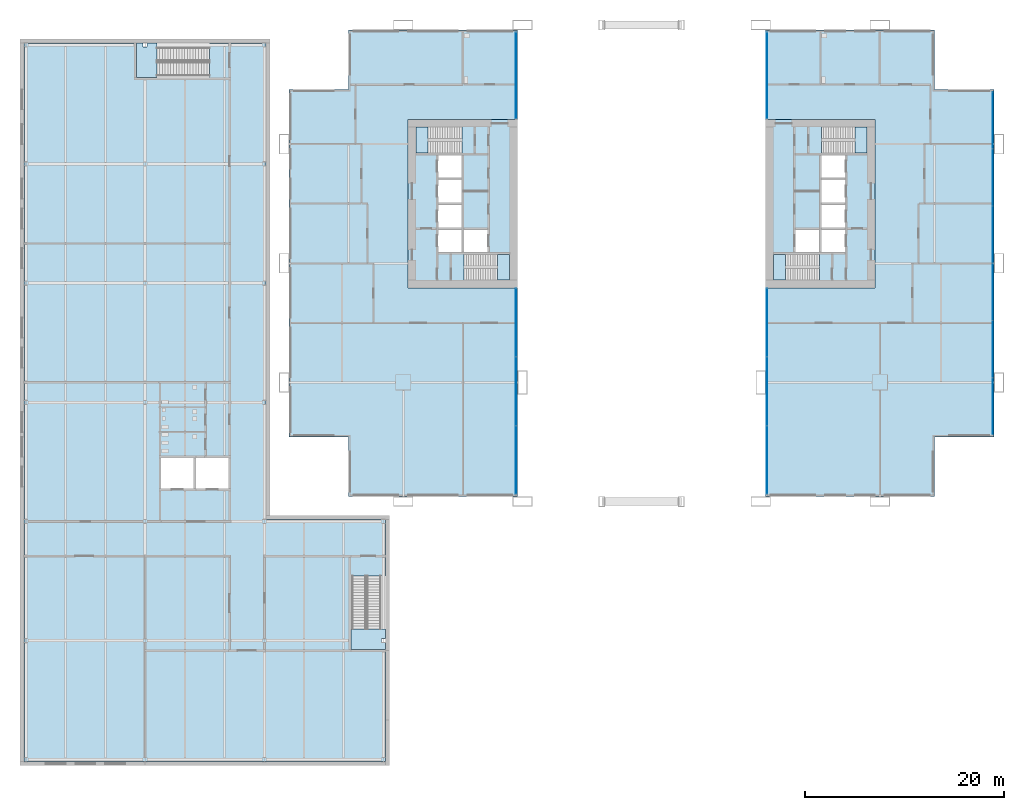
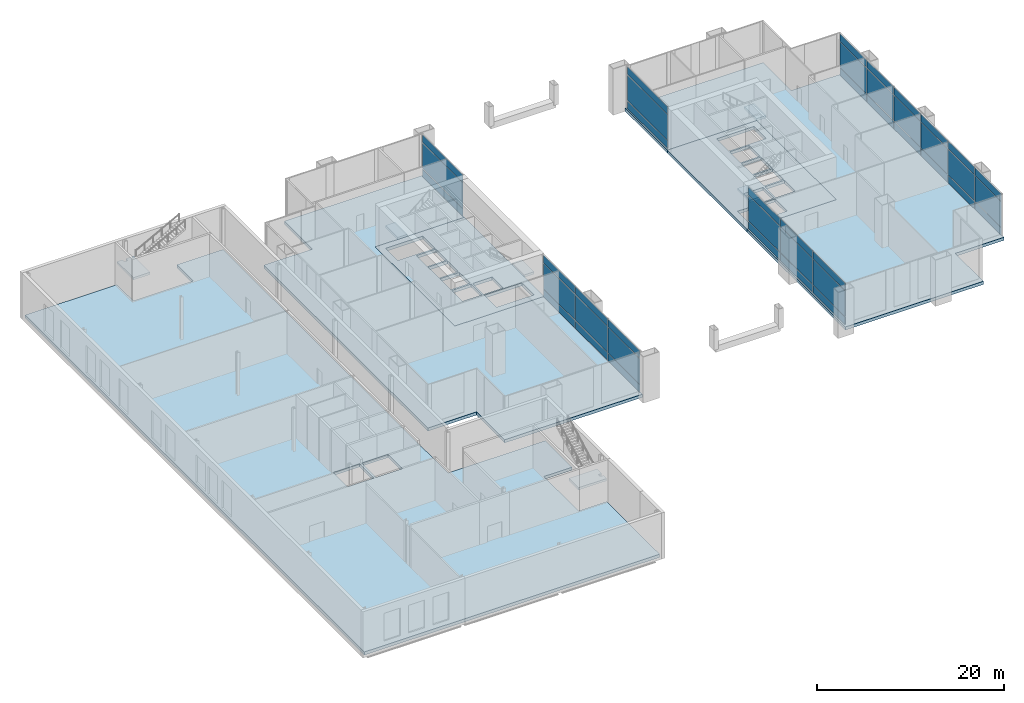
# One storey, part 15 of 25: 42 plates, 11 slabs, 11 elements without a shape of their own.
"""IFC4 building model written with IfcOpenShell, lengths in metres."""

from ifc_helpers import new_model, si_unit, direction, frame, origin, origin_2d, place, context, subcontext, project, spatial, polyline, rectangle, outline, extrude, material, layer, layer_set, type_object, element, aggregate, save


model = new_model("IFC4")

# Units and contexts
model_context = context("Model", 3, precision=1e-05, world=origin(), true_north=direction((0.0, 1.0)))
body_context = subcontext(model_context, "Body", "Model", "MODEL_VIEW")
ifc_project = project(units=[si_unit("LENGTHUNIT", "METRE"), si_unit("AREAUNIT", "SQUARE_METRE"), si_unit("VOLUMEUNIT", "CUBIC_METRE"), si_unit("PLANEANGLEUNIT", "RADIAN"), si_unit("MASSUNIT", "GRAM", prefix="KILO")], contexts=[model_context])

# Site, building, storey
site_placement = place(None, origin())
site = spatial("IfcSite", under=ifc_project, at=site_placement, CompositionType="ELEMENT")
building_placement = place(site_placement, origin())
building = spatial("IfcBuilding", under=site, at=building_placement, Name="Kitamizu Gate Tower and Museum", CompositionType="ELEMENT")
storey_placement = place(building_placement, frame((0.0, 0.0, 18.0)))
storey = spatial("IfcBuildingStorey", under=building, at=storey_placement, Name="L03", CompositionType="ELEMENT", Elevation=18.0)

# Slabs
ifc_material_1 = material(Name="Concrete Fc36", Category="concrete")
ifc_layer_1 = layer(ifc_material_1, 0.39990234375)
ifc_layer_set_1 = layer_set([ifc_layer_1], Name="Concrete Fc36")
slab_type_1 = type_object("IfcSlabType", Name="Core floor slab 400", PredefinedType="FLOOR", material=ifc_layer_set_1)
slab_1_placement = place(storey_placement, frame((0.0, 0.0, -0.39990234375)))
element("IfcSlab", 1, at=slab_1_placement, inside=storey, type_object=slab_type_1, Name="Core floor slab W", PredefinedType="FLOOR", context=body_context, shape_type="SweptSolid", body=[
    extrude(outline(polyline([(12.5, 21.5), (23.5, 21.5), (23.5, 38.5), (12.5, 38.5), (12.5, 21.5)]), holes=[polyline([(15.5, 25.10009765625), (17.89990234375, 25.10009765625), (17.89990234375, 27.39990234375), (15.5, 27.39990234375), (15.5, 25.10009765625)]), polyline([(15.5, 27.60009765625), (17.89990234375, 27.60009765625), (17.89990234375, 29.89990234375), (15.5, 29.89990234375), (15.5, 27.60009765625)]), polyline([(15.5, 30.10009765625), (17.89990234375, 30.10009765625), (17.89990234375, 32.39990234375), (15.5, 32.39990234375), (15.5, 30.10009765625)]), polyline([(15.5, 32.60009765625), (17.89990234375, 32.60009765625), (17.89990234375, 34.89990234375), (15.5, 34.89990234375), (15.5, 32.60009765625)]), polyline([(18.10009765625, 25.10009765625), (20.5, 25.10009765625), (20.5, 27.39990234375), (18.10009765625, 27.39990234375), (18.10009765625, 25.10009765625)]), polyline([(18.1005859375, 22.300048828125), (22.699951171875, 22.300048828125), (22.699951171875, 24.89990234375), (18.1005859375, 24.89990234375), (18.1005859375, 22.300048828125)]), polyline([(13.300048828125, 35.10009765625), (17.8994140625, 35.10009765625), (17.8994140625, 37.699951171875), (13.300048828125, 37.699951171875), (13.300048828125, 35.10009765625)])]), origin(), (0.0, 0.0, 1.0), 0.39990234375),
])
slab_2_placement = place(storey_placement, frame((0.0, 0.0, -0.39990234375)))
element("IfcSlab", 2, at=slab_2_placement, inside=storey, type_object=slab_type_1, Name="Core floor slab E", PredefinedType="FLOOR", context=body_context, shape_type="SweptSolid", body=[
    extrude(outline(polyline([(48.5, 21.5), (59.5, 21.5), (59.5, 38.5), (48.5, 38.5), (48.5, 21.5)]), holes=[polyline([(54.10009765625, 25.10009765625), (56.5, 25.10009765625), (56.5, 27.39990234375), (54.10009765625, 27.39990234375), (54.10009765625, 25.10009765625)]), polyline([(54.10009765625, 27.60009765625), (56.5, 27.60009765625), (56.5, 29.89990234375), (54.10009765625, 29.89990234375), (54.10009765625, 27.60009765625)]), polyline([(54.10009765625, 30.10009765625), (56.5, 30.10009765625), (56.5, 32.39990234375), (54.10009765625, 32.39990234375), (54.10009765625, 30.10009765625)]), polyline([(54.10009765625, 32.60009765625), (56.5, 32.60009765625), (56.5, 34.89990234375), (54.10009765625, 34.89990234375), (54.10009765625, 32.60009765625)]), polyline([(51.5, 25.10009765625), (53.89990234375, 25.10009765625), (53.89990234375, 27.39990234375), (51.5, 27.39990234375), (51.5, 25.10009765625)]), polyline([(49.300048828125, 22.300048828125), (53.8994140625, 22.300048828125), (53.8994140625, 24.89990234375), (49.300048828125, 24.89990234375), (49.300048828125, 22.300048828125)]), polyline([(54.1005859375, 35.10009765625), (58.699951171875, 35.10009765625), (58.699951171875, 37.699951171875), (54.1005859375, 37.699951171875), (54.1005859375, 35.10009765625)])]), origin(), (0.0, 0.0, 1.0), 0.39990234375),
])

# Curtain wall, plates
ifc_material_2 = material(Name="Bronze anodised aluminium frame, tinted triple glazing", Category="aluminium")
curtain_wall_type = type_object("IfcCurtainWallType", Name="CURTAIN WALL TYPE A PODIUM", PredefinedType="NOTDEFINED", material=ifc_material_2)
curtain_wall_1_placement = place(storey_placement, origin())
curtain_wall_1 = element("IfcCurtainWall", 3, at=curtain_wall_1_placement, inside=storey, type_object=curtain_wall_type, Name="Curtain wall CW-A east L03", PredefinedType="NOTDEFINED")
ifc_material_3 = material(Name="Tinted insulating glass", Category="glass")
ifc_layer_2 = layer(ifc_material_3, 0.035888671875)
ifc_layer_set_2 = layer_set([ifc_layer_2], Name="Tinted insulating glass")
plate_type = type_object("IfcPlateType", Name="GLASS PANEL 36 TYPE A", PredefinedType="CURTAIN_PANEL", material=ifc_layer_set_2)
plate_1_placement = place(storey_placement, frame((23.364990234375, 4.197509765625, 0.080078125), z_axis=(0.0, 0.0, 1.0), x_axis=(0.0, 1.0, 0.0)))
plate_1 = element("IfcPlate", 4, at=plate_1_placement, type_object=plate_type, Name="CW-A panel 1.1", PredefinedType="CURTAIN_PANEL", context=body_context, shape_type="SweptSolid", body=[
    extrude(rectangle(XDim=6.794921875, YDim=0.035888671875, at=origin_2d()), origin(), (0.0, 0.0, 1.0), 0.97998046875),
])
plate_2_placement = place(storey_placement, frame((23.364990234375, 4.197509765625, 1.14013671875), z_axis=(0.0, 0.0, 1.0), x_axis=(0.0, 1.0, 0.0)))
plate_2 = element("IfcPlate", 5, at=plate_2_placement, type_object=plate_type, Name="CW-A panel 1.2", PredefinedType="CURTAIN_PANEL", context=body_context, shape_type="SweptSolid", body=[
    extrude(rectangle(XDim=6.794921875, YDim=0.035888671875, at=origin_2d()), origin(), (0.0, 0.0, 1.0), 3.320068359375),
])
plate_3_placement = place(storey_placement, frame((23.364990234375, 4.197509765625, 4.5400390625), z_axis=(0.0, 0.0, 1.0), x_axis=(0.0, 1.0, 0.0)))
plate_3 = element("IfcPlate", 6, at=plate_3_placement, type_object=plate_type, Name="CW-A panel 1.3", PredefinedType="CURTAIN_PANEL", context=body_context, shape_type="SweptSolid", body=[
    extrude(rectangle(XDim=6.794921875, YDim=0.035888671875, at=origin_2d()), origin(), (0.0, 0.0, 1.0), 0.97998046875),
])
plate_4_placement = place(storey_placement, frame((23.364990234375, 11.10498046875, 0.080078125), z_axis=(0.0, 0.0, 1.0), x_axis=(0.0, 1.0, 0.0)))
plate_4 = element("IfcPlate", 7, at=plate_4_placement, type_object=plate_type, Name="CW-A panel 2.1", PredefinedType="CURTAIN_PANEL", context=body_context, shape_type="SweptSolid", body=[
    extrude(rectangle(XDim=6.840087890625, YDim=0.035888671875, at=origin_2d()), origin(), (0.0, 0.0, 1.0), 0.97998046875),
])
plate_5_placement = place(storey_placement, frame((23.364990234375, 11.10498046875, 1.14013671875), z_axis=(0.0, 0.0, 1.0), x_axis=(0.0, 1.0, 0.0)))
plate_5 = element("IfcPlate", 8, at=plate_5_placement, type_object=plate_type, Name="CW-A panel 2.2", PredefinedType="CURTAIN_PANEL", context=body_context, shape_type="SweptSolid", body=[
    extrude(rectangle(XDim=6.840087890625, YDim=0.035888671875, at=origin_2d()), origin(), (0.0, 0.0, 1.0), 3.320068359375),
])
plate_6_placement = place(storey_placement, frame((23.364990234375, 11.10498046875, 4.5400390625), z_axis=(0.0, 0.0, 1.0), x_axis=(0.0, 1.0, 0.0)))
plate_6 = element("IfcPlate", 9, at=plate_6_placement, type_object=plate_type, Name="CW-A panel 2.3", PredefinedType="CURTAIN_PANEL", context=body_context, shape_type="SweptSolid", body=[
    extrude(rectangle(XDim=6.840087890625, YDim=0.035888671875, at=origin_2d()), origin(), (0.0, 0.0, 1.0), 0.97998046875),
])
plate_7_placement = place(storey_placement, frame((23.364990234375, 18.012451171875, 0.080078125), z_axis=(0.0, 0.0, 1.0), x_axis=(0.0, 1.0, 0.0)))
plate_7 = element("IfcPlate", 10, at=plate_7_placement, type_object=plate_type, Name="CW-A panel 3.1", PredefinedType="CURTAIN_PANEL", context=body_context, shape_type="SweptSolid", body=[
    extrude(rectangle(XDim=6.794921875, YDim=0.035888671875, at=origin_2d()), origin(), (0.0, 0.0, 1.0), 0.97998046875),
])
plate_8_placement = place(storey_placement, frame((23.364990234375, 18.012451171875, 1.14013671875), z_axis=(0.0, 0.0, 1.0), x_axis=(0.0, 1.0, 0.0)))
plate_8 = element("IfcPlate", 11, at=plate_8_placement, type_object=plate_type, Name="CW-A panel 3.2", PredefinedType="CURTAIN_PANEL", context=body_context, shape_type="SweptSolid", body=[
    extrude(rectangle(XDim=6.794921875, YDim=0.035888671875, at=origin_2d()), origin(), (0.0, 0.0, 1.0), 3.320068359375),
])
plate_9_placement = place(storey_placement, frame((23.364990234375, 18.012451171875, 4.5400390625), z_axis=(0.0, 0.0, 1.0), x_axis=(0.0, 1.0, 0.0)))
plate_9 = element("IfcPlate", 12, at=plate_9_placement, type_object=plate_type, Name="CW-A panel 3.3", PredefinedType="CURTAIN_PANEL", context=body_context, shape_type="SweptSolid", body=[
    extrude(rectangle(XDim=6.794921875, YDim=0.035888671875, at=origin_2d()), origin(), (0.0, 0.0, 1.0), 0.97998046875),
])
aggregate(curtain_wall_1, [plate_1, plate_2, plate_3, plate_4, plate_5, plate_6, plate_7, plate_8, plate_9])

curtain_wall_2_placement = place(storey_placement, origin())
curtain_wall_2 = element("IfcCurtainWall", 13, at=curtain_wall_2_placement, inside=storey, type_object=curtain_wall_type, Name="Curtain wall CW-A east L03", PredefinedType="NOTDEFINED")
plate_10_placement = place(storey_placement, frame((23.364990234375, 42.89501953125, 0.080078125), z_axis=(0.0, 0.0, 1.0), x_axis=(0.0, 1.0, 0.0)))
plate_10 = element("IfcPlate", 14, at=plate_10_placement, type_object=plate_type, Name="CW-A panel 1.1", PredefinedType="CURTAIN_PANEL", context=body_context, shape_type="SweptSolid", body=[
    extrude(rectangle(XDim=8.610107421875, YDim=0.035888671875, at=origin_2d()), origin(), (0.0, 0.0, 1.0), 0.97998046875),
])
plate_11_placement = place(storey_placement, frame((23.364990234375, 42.89501953125, 1.14013671875), z_axis=(0.0, 0.0, 1.0), x_axis=(0.0, 1.0, 0.0)))
plate_11 = element("IfcPlate", 15, at=plate_11_placement, type_object=plate_type, Name="CW-A panel 1.2", PredefinedType="CURTAIN_PANEL", context=body_context, shape_type="SweptSolid", body=[
    extrude(rectangle(XDim=8.610107421875, YDim=0.035888671875, at=origin_2d()), origin(), (0.0, 0.0, 1.0), 3.320068359375),
])
plate_12_placement = place(storey_placement, frame((23.364990234375, 42.89501953125, 4.5400390625), z_axis=(0.0, 0.0, 1.0), x_axis=(0.0, 1.0, 0.0)))
plate_12 = element("IfcPlate", 16, at=plate_12_placement, type_object=plate_type, Name="CW-A panel 1.3", PredefinedType="CURTAIN_PANEL", context=body_context, shape_type="SweptSolid", body=[
    extrude(rectangle(XDim=8.610107421875, YDim=0.035888671875, at=origin_2d()), origin(), (0.0, 0.0, 1.0), 0.97998046875),
])
aggregate(curtain_wall_2, [plate_10, plate_11, plate_12])

curtain_wall_3_placement = place(storey_placement, origin())
curtain_wall_3 = element("IfcCurtainWall", 17, at=curtain_wall_3_placement, inside=storey, type_object=curtain_wall_type, Name="Curtain wall CW-A west L03", PredefinedType="NOTDEFINED")
plate_13_placement = place(storey_placement, frame((48.635009765625, 4.197509765625, 0.080078125), z_axis=(0.0, 0.0, 1.0), x_axis=(0.0, 1.0, 0.0)))
plate_13 = element("IfcPlate", 18, at=plate_13_placement, type_object=plate_type, Name="CW-A panel 1.1", PredefinedType="CURTAIN_PANEL", context=body_context, shape_type="SweptSolid", body=[
    extrude(rectangle(XDim=6.794921875, YDim=0.035888671875, at=origin_2d()), origin(), (0.0, 0.0, 1.0), 0.97998046875),
])
plate_14_placement = place(storey_placement, frame((48.635009765625, 4.197509765625, 1.14013671875), z_axis=(0.0, 0.0, 1.0), x_axis=(0.0, 1.0, 0.0)))
plate_14 = element("IfcPlate", 19, at=plate_14_placement, type_object=plate_type, Name="CW-A panel 1.2", PredefinedType="CURTAIN_PANEL", context=body_context, shape_type="SweptSolid", body=[
    extrude(rectangle(XDim=6.794921875, YDim=0.035888671875, at=origin_2d()), origin(), (0.0, 0.0, 1.0), 3.320068359375),
])
plate_15_placement = place(storey_placement, frame((48.635009765625, 4.197509765625, 4.5400390625), z_axis=(0.0, 0.0, 1.0), x_axis=(0.0, 1.0, 0.0)))
plate_15 = element("IfcPlate", 20, at=plate_15_placement, type_object=plate_type, Name="CW-A panel 1.3", PredefinedType="CURTAIN_PANEL", context=body_context, shape_type="SweptSolid", body=[
    extrude(rectangle(XDim=6.794921875, YDim=0.035888671875, at=origin_2d()), origin(), (0.0, 0.0, 1.0), 0.97998046875),
])
plate_16_placement = place(storey_placement, frame((48.635009765625, 11.10498046875, 0.080078125), z_axis=(0.0, 0.0, 1.0), x_axis=(0.0, 1.0, 0.0)))
plate_16 = element("IfcPlate", 21, at=plate_16_placement, type_object=plate_type, Name="CW-A panel 2.1", PredefinedType="CURTAIN_PANEL", context=body_context, shape_type="SweptSolid", body=[
    extrude(rectangle(XDim=6.840087890625, YDim=0.035888671875, at=origin_2d()), origin(), (0.0, 0.0, 1.0), 0.97998046875),
])
plate_17_placement = place(storey_placement, frame((48.635009765625, 11.10498046875, 1.14013671875), z_axis=(0.0, 0.0, 1.0), x_axis=(0.0, 1.0, 0.0)))
plate_17 = element("IfcPlate", 22, at=plate_17_placement, type_object=plate_type, Name="CW-A panel 2.2", PredefinedType="CURTAIN_PANEL", context=body_context, shape_type="SweptSolid", body=[
    extrude(rectangle(XDim=6.840087890625, YDim=0.035888671875, at=origin_2d()), origin(), (0.0, 0.0, 1.0), 3.320068359375),
])
plate_18_placement = place(storey_placement, frame((48.635009765625, 11.10498046875, 4.5400390625), z_axis=(0.0, 0.0, 1.0), x_axis=(0.0, 1.0, 0.0)))
plate_18 = element("IfcPlate", 23, at=plate_18_placement, type_object=plate_type, Name="CW-A panel 2.3", PredefinedType="CURTAIN_PANEL", context=body_context, shape_type="SweptSolid", body=[
    extrude(rectangle(XDim=6.840087890625, YDim=0.035888671875, at=origin_2d()), origin(), (0.0, 0.0, 1.0), 0.97998046875),
])
plate_19_placement = place(storey_placement, frame((48.635009765625, 18.012451171875, 0.080078125), z_axis=(0.0, 0.0, 1.0), x_axis=(0.0, 1.0, 0.0)))
plate_19 = element("IfcPlate", 24, at=plate_19_placement, type_object=plate_type, Name="CW-A panel 3.1", PredefinedType="CURTAIN_PANEL", context=body_context, shape_type="SweptSolid", body=[
    extrude(rectangle(XDim=6.794921875, YDim=0.035888671875, at=origin_2d()), origin(), (0.0, 0.0, 1.0), 0.97998046875),
])
plate_20_placement = place(storey_placement, frame((48.635009765625, 18.012451171875, 1.14013671875), z_axis=(0.0, 0.0, 1.0), x_axis=(0.0, 1.0, 0.0)))
plate_20 = element("IfcPlate", 25, at=plate_20_placement, type_object=plate_type, Name="CW-A panel 3.2", PredefinedType="CURTAIN_PANEL", context=body_context, shape_type="SweptSolid", body=[
    extrude(rectangle(XDim=6.794921875, YDim=0.035888671875, at=origin_2d()), origin(), (0.0, 0.0, 1.0), 3.320068359375),
])
plate_21_placement = place(storey_placement, frame((48.635009765625, 18.012451171875, 4.5400390625), z_axis=(0.0, 0.0, 1.0), x_axis=(0.0, 1.0, 0.0)))
plate_21 = element("IfcPlate", 26, at=plate_21_placement, type_object=plate_type, Name="CW-A panel 3.3", PredefinedType="CURTAIN_PANEL", context=body_context, shape_type="SweptSolid", body=[
    extrude(rectangle(XDim=6.794921875, YDim=0.035888671875, at=origin_2d()), origin(), (0.0, 0.0, 1.0), 0.97998046875),
])
aggregate(curtain_wall_3, [plate_13, plate_14, plate_15, plate_16, plate_17, plate_18, plate_19, plate_20, plate_21])

curtain_wall_4_placement = place(storey_placement, origin())
curtain_wall_4 = element("IfcCurtainWall", 27, at=curtain_wall_4_placement, inside=storey, type_object=curtain_wall_type, Name="Curtain wall CW-A west L03", PredefinedType="NOTDEFINED")
plate_22_placement = place(storey_placement, frame((48.635009765625, 42.89501953125, 0.080078125), z_axis=(0.0, 0.0, 1.0), x_axis=(0.0, 1.0, 0.0)))
plate_22 = element("IfcPlate", 28, at=plate_22_placement, type_object=plate_type, Name="CW-A panel 1.1", PredefinedType="CURTAIN_PANEL", context=body_context, shape_type="SweptSolid", body=[
    extrude(rectangle(XDim=8.610107421875, YDim=0.035888671875, at=origin_2d()), origin(), (0.0, 0.0, 1.0), 0.97998046875),
])
plate_23_placement = place(storey_placement, frame((48.635009765625, 42.89501953125, 1.14013671875), z_axis=(0.0, 0.0, 1.0), x_axis=(0.0, 1.0, 0.0)))
plate_23 = element("IfcPlate", 29, at=plate_23_placement, type_object=plate_type, Name="CW-A panel 1.2", PredefinedType="CURTAIN_PANEL", context=body_context, shape_type="SweptSolid", body=[
    extrude(rectangle(XDim=8.610107421875, YDim=0.035888671875, at=origin_2d()), origin(), (0.0, 0.0, 1.0), 3.320068359375),
])
plate_24_placement = place(storey_placement, frame((48.635009765625, 42.89501953125, 4.5400390625), z_axis=(0.0, 0.0, 1.0), x_axis=(0.0, 1.0, 0.0)))
plate_24 = element("IfcPlate", 30, at=plate_24_placement, type_object=plate_type, Name="CW-A panel 1.3", PredefinedType="CURTAIN_PANEL", context=body_context, shape_type="SweptSolid", body=[
    extrude(rectangle(XDim=8.610107421875, YDim=0.035888671875, at=origin_2d()), origin(), (0.0, 0.0, 1.0), 0.97998046875),
])
aggregate(curtain_wall_4, [plate_22, plate_23, plate_24])

curtain_wall_5_placement = place(storey_placement, origin())
curtain_wall_5 = element("IfcCurtainWall", 31, at=curtain_wall_5_placement, inside=storey, type_object=curtain_wall_type, Name="Curtain wall CW-A east L03", PredefinedType="NOTDEFINED")
plate_25_placement = place(storey_placement, frame((71.364990234375, 9.6142578125, 0.080078125), z_axis=(0.0, 0.0, 1.0), x_axis=(0.0, 1.0, 0.0)))
plate_25 = element("IfcPlate", 32, at=plate_25_placement, type_object=plate_type, Name="CW-A panel 1.1", PredefinedType="CURTAIN_PANEL", context=body_context, shape_type="SweptSolid", body=[
    extrude(rectangle(XDim=5.62841796875, YDim=0.035888671875, at=origin_2d()), origin(), (0.0, 0.0, 1.0), 0.97998046875),
])
plate_26_placement = place(storey_placement, frame((71.364990234375, 9.6142578125, 1.14013671875), z_axis=(0.0, 0.0, 1.0), x_axis=(0.0, 1.0, 0.0)))
plate_26 = element("IfcPlate", 33, at=plate_26_placement, type_object=plate_type, Name="CW-A panel 1.2", PredefinedType="CURTAIN_PANEL", context=body_context, shape_type="SweptSolid", body=[
    extrude(rectangle(XDim=5.62841796875, YDim=0.035888671875, at=origin_2d()), origin(), (0.0, 0.0, 1.0), 3.320068359375),
])
plate_27_placement = place(storey_placement, frame((71.364990234375, 9.6142578125, 4.5400390625), z_axis=(0.0, 0.0, 1.0), x_axis=(0.0, 1.0, 0.0)))
plate_27 = element("IfcPlate", 34, at=plate_27_placement, type_object=plate_type, Name="CW-A panel 1.3", PredefinedType="CURTAIN_PANEL", context=body_context, shape_type="SweptSolid", body=[
    extrude(rectangle(XDim=5.62841796875, YDim=0.035888671875, at=origin_2d()), origin(), (0.0, 0.0, 1.0), 0.97998046875),
])
plate_28_placement = place(storey_placement, frame((71.364990234375, 15.35498046875, 0.080078125), z_axis=(0.0, 0.0, 1.0), x_axis=(0.0, 1.0, 0.0)))
plate_28 = element("IfcPlate", 35, at=plate_28_placement, type_object=plate_type, Name="CW-A panel 2.1", PredefinedType="CURTAIN_PANEL", context=body_context, shape_type="SweptSolid", body=[
    extrude(rectangle(XDim=5.67333984375, YDim=0.035888671875, at=origin_2d()), origin(), (0.0, 0.0, 1.0), 0.97998046875),
])
plate_29_placement = place(storey_placement, frame((71.364990234375, 15.35498046875, 1.14013671875), z_axis=(0.0, 0.0, 1.0), x_axis=(0.0, 1.0, 0.0)))
plate_29 = element("IfcPlate", 36, at=plate_29_placement, type_object=plate_type, Name="CW-A panel 2.2", PredefinedType="CURTAIN_PANEL", context=body_context, shape_type="SweptSolid", body=[
    extrude(rectangle(XDim=5.67333984375, YDim=0.035888671875, at=origin_2d()), origin(), (0.0, 0.0, 1.0), 3.320068359375),
])
plate_30_placement = place(storey_placement, frame((71.364990234375, 15.35498046875, 4.5400390625), z_axis=(0.0, 0.0, 1.0), x_axis=(0.0, 1.0, 0.0)))
plate_30 = element("IfcPlate", 37, at=plate_30_placement, type_object=plate_type, Name="CW-A panel 2.3", PredefinedType="CURTAIN_PANEL", context=body_context, shape_type="SweptSolid", body=[
    extrude(rectangle(XDim=5.67333984375, YDim=0.035888671875, at=origin_2d()), origin(), (0.0, 0.0, 1.0), 0.97998046875),
])
plate_31_placement = place(storey_placement, frame((71.364990234375, 21.118408203125, 0.080078125), z_axis=(0.0, 0.0, 1.0), x_axis=(0.0, 1.0, 0.0)))
plate_31 = element("IfcPlate", 38, at=plate_31_placement, type_object=plate_type, Name="CW-A panel 3.1", PredefinedType="CURTAIN_PANEL", context=body_context, shape_type="SweptSolid", body=[
    extrude(rectangle(XDim=5.67333984375, YDim=0.035888671875, at=origin_2d()), origin(), (0.0, 0.0, 1.0), 0.97998046875),
])
plate_32_placement = place(storey_placement, frame((71.364990234375, 21.118408203125, 1.14013671875), z_axis=(0.0, 0.0, 1.0), x_axis=(0.0, 1.0, 0.0)))
plate_32 = element("IfcPlate", 39, at=plate_32_placement, type_object=plate_type, Name="CW-A panel 3.2", PredefinedType="CURTAIN_PANEL", context=body_context, shape_type="SweptSolid", body=[
    extrude(rectangle(XDim=5.67333984375, YDim=0.035888671875, at=origin_2d()), origin(), (0.0, 0.0, 1.0), 3.320068359375),
])
plate_33_placement = place(storey_placement, frame((71.364990234375, 21.118408203125, 4.5400390625), z_axis=(0.0, 0.0, 1.0), x_axis=(0.0, 1.0, 0.0)))
plate_33 = element("IfcPlate", 40, at=plate_33_placement, type_object=plate_type, Name="CW-A panel 3.3", PredefinedType="CURTAIN_PANEL", context=body_context, shape_type="SweptSolid", body=[
    extrude(rectangle(XDim=5.67333984375, YDim=0.035888671875, at=origin_2d()), origin(), (0.0, 0.0, 1.0), 0.97998046875),
])
plate_34_placement = place(storey_placement, frame((71.364990234375, 26.881591796875, 0.080078125), z_axis=(0.0, 0.0, 1.0), x_axis=(0.0, 1.0, 0.0)))
plate_34 = element("IfcPlate", 41, at=plate_34_placement, type_object=plate_type, Name="CW-A panel 4.1", PredefinedType="CURTAIN_PANEL", context=body_context, shape_type="SweptSolid", body=[
    extrude(rectangle(XDim=5.67333984375, YDim=0.035888671875, at=origin_2d()), origin(), (0.0, 0.0, 1.0), 0.97998046875),
])
plate_35_placement = place(storey_placement, frame((71.364990234375, 26.881591796875, 1.14013671875), z_axis=(0.0, 0.0, 1.0), x_axis=(0.0, 1.0, 0.0)))
plate_35 = element("IfcPlate", 42, at=plate_35_placement, type_object=plate_type, Name="CW-A panel 4.2", PredefinedType="CURTAIN_PANEL", context=body_context, shape_type="SweptSolid", body=[
    extrude(rectangle(XDim=5.67333984375, YDim=0.035888671875, at=origin_2d()), origin(), (0.0, 0.0, 1.0), 3.320068359375),
])
plate_36_placement = place(storey_placement, frame((71.364990234375, 26.881591796875, 4.5400390625), z_axis=(0.0, 0.0, 1.0), x_axis=(0.0, 1.0, 0.0)))
plate_36 = element("IfcPlate", 43, at=plate_36_placement, type_object=plate_type, Name="CW-A panel 4.3", PredefinedType="CURTAIN_PANEL", context=body_context, shape_type="SweptSolid", body=[
    extrude(rectangle(XDim=5.67333984375, YDim=0.035888671875, at=origin_2d()), origin(), (0.0, 0.0, 1.0), 0.97998046875),
])
plate_37_placement = place(storey_placement, frame((71.364990234375, 32.64501953125, 0.080078125), z_axis=(0.0, 0.0, 1.0), x_axis=(0.0, 1.0, 0.0)))
plate_37 = element("IfcPlate", 44, at=plate_37_placement, type_object=plate_type, Name="CW-A panel 5.1", PredefinedType="CURTAIN_PANEL", context=body_context, shape_type="SweptSolid", body=[
    extrude(rectangle(XDim=5.67333984375, YDim=0.035888671875, at=origin_2d()), origin(), (0.0, 0.0, 1.0), 0.97998046875),
])
plate_38_placement = place(storey_placement, frame((71.364990234375, 32.64501953125, 1.14013671875), z_axis=(0.0, 0.0, 1.0), x_axis=(0.0, 1.0, 0.0)))
plate_38 = element("IfcPlate", 45, at=plate_38_placement, type_object=plate_type, Name="CW-A panel 5.2", PredefinedType="CURTAIN_PANEL", context=body_context, shape_type="SweptSolid", body=[
    extrude(rectangle(XDim=5.67333984375, YDim=0.035888671875, at=origin_2d()), origin(), (0.0, 0.0, 1.0), 3.320068359375),
])
plate_39_placement = place(storey_placement, frame((71.364990234375, 32.64501953125, 4.5400390625), z_axis=(0.0, 0.0, 1.0), x_axis=(0.0, 1.0, 0.0)))
plate_39 = element("IfcPlate", 46, at=plate_39_placement, type_object=plate_type, Name="CW-A panel 5.3", PredefinedType="CURTAIN_PANEL", context=body_context, shape_type="SweptSolid", body=[
    extrude(rectangle(XDim=5.67333984375, YDim=0.035888671875, at=origin_2d()), origin(), (0.0, 0.0, 1.0), 0.97998046875),
])
plate_40_placement = place(storey_placement, frame((71.364990234375, 38.3857421875, 0.080078125), z_axis=(0.0, 0.0, 1.0), x_axis=(0.0, 1.0, 0.0)))
plate_40 = element("IfcPlate", 47, at=plate_40_placement, type_object=plate_type, Name="CW-A panel 6.1", PredefinedType="CURTAIN_PANEL", context=body_context, shape_type="SweptSolid", body=[
    extrude(rectangle(XDim=5.62841796875, YDim=0.035888671875, at=origin_2d()), origin(), (0.0, 0.0, 1.0), 0.97998046875),
])
plate_41_placement = place(storey_placement, frame((71.364990234375, 38.3857421875, 1.14013671875), z_axis=(0.0, 0.0, 1.0), x_axis=(0.0, 1.0, 0.0)))
plate_41 = element("IfcPlate", 48, at=plate_41_placement, type_object=plate_type, Name="CW-A panel 6.2", PredefinedType="CURTAIN_PANEL", context=body_context, shape_type="SweptSolid", body=[
    extrude(rectangle(XDim=5.62841796875, YDim=0.035888671875, at=origin_2d()), origin(), (0.0, 0.0, 1.0), 3.320068359375),
])
plate_42_placement = place(storey_placement, frame((71.364990234375, 38.3857421875, 4.5400390625), z_axis=(0.0, 0.0, 1.0), x_axis=(0.0, 1.0, 0.0)))
plate_42 = element("IfcPlate", 49, at=plate_42_placement, type_object=plate_type, Name="CW-A panel 6.3", PredefinedType="CURTAIN_PANEL", context=body_context, shape_type="SweptSolid", body=[
    extrude(rectangle(XDim=5.62841796875, YDim=0.035888671875, at=origin_2d()), origin(), (0.0, 0.0, 1.0), 0.97998046875),
])
aggregate(curtain_wall_5, [plate_25, plate_26, plate_27, plate_28, plate_29, plate_30, plate_31, plate_32, plate_33, plate_34, plate_35, plate_36, plate_37, plate_38, plate_39, plate_40, plate_41, plate_42])

# Slab
ifc_material_4 = material(Name="Concrete Fc30", Category="concrete")
ifc_layer_3 = layer(ifc_material_4, 0.39990234375)
ifc_layer_set_3 = layer_set([ifc_layer_3], Name="Concrete Fc30")
slab_type_2 = type_object("IfcSlabType", Name="Museum composite floor slab 400", PredefinedType="FLOOR", material=ifc_layer_set_3)
slab_3_placement = place(storey_placement, frame((0.0, 0.0, -0.39990234375)))
element("IfcSlab", 50, at=slab_3_placement, inside=storey, type_object=slab_type_2, Name="Floor slab L03.1", PredefinedType="FLOOR", context=body_context, shape_type="SweptSolid", body=[
    extrude(outline(polyline([(-14.875, 46.199951171875), (-14.875, 42.72509765625), (-7.50048828125, 42.72509765625), (-7.50048828125, 46.199951171875), (-1.800048828125, 46.199951171875), (-1.800048828125, -1.800048828125), (10.199951171875, -1.800048828125), (10.199951171875, -7.50048828125), (6.72509765625, -7.50048828125), (6.72509765625, -14.875), (10.199951171875, -14.875), (10.199951171875, -26.199951171875), (-26.199951171875, -26.199951171875), (-26.199951171875, 46.199951171875), (-14.875, 46.199951171875)]), holes=[polyline([(-8.875, 4.375), (-8.875, 1.324951171875), (-5.625, 1.324951171875), (-5.625, 4.375), (-8.0, 4.375), (-8.875, 4.375)]), polyline([(-9.125, 4.375), (-12.375, 4.375), (-12.375, 1.324951171875), (-9.125, 1.324951171875), (-9.125, 4.375)])]), origin(), (0.0, 0.0, 1.0), 0.39990234375),
])

# Stair, slab
ifc_material_5 = material(Name="Concrete Fc30", Category="concrete")
stair_type_1 = type_object("IfcStairType", Name="Museum stair 40 risers", PredefinedType="HALF_TURN_STAIR", material=ifc_material_5)
stair_1_placement = place(storey_placement, origin())
stair_1 = element("IfcStair", 51, at=stair_1_placement, inside=storey, type_object=stair_type_1, Name="Exit stair S", PredefinedType="HALF_TURN_STAIR")
ifc_material_6 = material(Name="Concrete Fc30", Category="concrete")
ifc_layer_4 = layer(ifc_material_6, 0.300048828125)
ifc_layer_set_4 = layer_set([ifc_layer_4], Name="Concrete Fc30")
slab_type_3 = type_object("IfcSlabType", Name="Museum stair landing 300", PredefinedType="LANDING", material=ifc_layer_set_4)
slab_4_placement = place(storey_placement, frame((0.0, 0.0, 2.699951171875)))
slab_4 = element("IfcSlab", 52, at=slab_4_placement, type_object=slab_type_3, Name="MST1 landing 1", PredefinedType="LANDING", context=body_context, shape_type="SweptSolid", body=[
    extrude(outline(polyline([(10.199951171875, -14.875), (6.72509765625, -14.875), (6.72509765625, -12.820068359375), (10.199951171875, -12.820068359375), (10.199951171875, -13.800048828125), (9.800048828125, -13.800048828125), (9.800048828125, -14.199951171875), (10.199951171875, -14.199951171875), (10.199951171875, -14.875)])), origin(), (0.0, 0.0, 1.0), 0.300048828125),
])
aggregate(stair_1, [slab_4])

stair_2_placement = place(storey_placement, origin())
stair_2 = element("IfcStair", 53, at=stair_2_placement, inside=storey, type_object=stair_type_1, Name="Exit stair N", PredefinedType="HALF_TURN_STAIR")
slab_5_placement = place(storey_placement, frame((0.0, 0.0, 2.699951171875)))
slab_5 = element("IfcSlab", 54, at=slab_5_placement, type_object=slab_type_3, Name="MST2 landing 1", PredefinedType="LANDING", context=body_context, shape_type="SweptSolid", body=[
    extrude(outline(polyline([(-12.820068359375, 46.199951171875), (-12.820068359375, 42.72509765625), (-14.875, 42.72509765625), (-14.875, 46.199951171875), (-14.199951171875, 46.199951171875), (-14.199951171875, 45.800048828125), (-13.800048828125, 45.800048828125), (-13.800048828125, 46.199951171875), (-12.820068359375, 46.199951171875)])), origin(), (0.0, 0.0, 1.0), 0.300048828125),
])
aggregate(stair_2, [slab_5])

# Slabs
ifc_material_7 = material(Name="Concrete Fc36", Category="concrete")
ifc_layer_5 = layer(ifc_material_7, 0.39990234375)
ifc_layer_set_5 = layer_set([ifc_layer_5], Name="Concrete Fc36")
slab_type_4 = type_object("IfcSlabType", Name="Post tensioned flat slab 400", PredefinedType="FLOOR", material=ifc_layer_set_5)
slab_6_placement = place(storey_placement, frame((0.0, 0.0, -0.39990234375)))
element("IfcSlab", 55, at=slab_6_placement, inside=storey, type_object=slab_type_4, Name="Floor slab L03-1", PredefinedType="FLOOR", context=body_context, shape_type="SweptSolid", body=[
    extrude(outline(polyline([(6.5, 47.5), (23.5, 47.5), (23.5, 38.5), (12.5, 38.5), (12.5, 21.5), (23.5, 21.5), (23.5, 0.5), (6.5, 0.5), (6.5, 6.5), (0.5, 6.5), (0.5, 41.5), (6.5, 41.5), (6.5, 47.5)])), origin(), (0.0, 0.0, 1.0), 0.39990234375),
])
slab_7_placement = place(storey_placement, frame((0.0, 0.0, -0.39990234375)))
element("IfcSlab", 56, at=slab_7_placement, inside=storey, type_object=slab_type_4, Name="Floor slab L03-2", PredefinedType="FLOOR", context=body_context, shape_type="SweptSolid", body=[
    extrude(outline(polyline([(71.5, 6.5), (65.5, 6.5), (65.5, 0.5), (48.5, 0.5), (48.5, 21.5), (59.5, 21.5), (59.5, 38.5), (48.5, 38.5), (48.5, 47.5), (65.5, 47.5), (65.5, 41.5), (71.5, 41.5), (71.5, 6.5)])), origin(), (0.0, 0.0, 1.0), 0.39990234375),
])

# Stair, slab
ifc_material_8 = material(Name="Concrete Fc42", Category="concrete")
stair_type_2 = type_object("IfcStairType", Name="Exit stair 1200 wide 200 rise 243 going", PredefinedType="HALF_TURN_STAIR", material=ifc_material_8)
stair_3_placement = place(storey_placement, origin())
stair_3 = element("IfcStair", 57, at=stair_3_placement, inside=storey, type_object=stair_type_2, Name="Exit stair ST1", PredefinedType="HALF_TURN_STAIR")
ifc_material_9 = material(Name="Concrete Fc42", Category="concrete")
ifc_layer_6 = layer(ifc_material_9, 0.300048828125)
ifc_layer_set_6 = layer_set([ifc_layer_6], Name="Concrete Fc42")
slab_type_5 = type_object("IfcSlabType", Name="Stair landing 300", PredefinedType="LANDING", material=ifc_layer_set_6)
slab_8_placement = place(storey_placement, frame((0.0, 0.0, 2.699951171875)))
slab_8 = element("IfcSlab", 58, at=slab_8_placement, type_object=slab_type_5, Name="ST1 landing 1", PredefinedType="LANDING", context=body_context, shape_type="SweptSolid", body=[
    extrude(outline(polyline([(21.5, 22.300048828125), (22.699951171875, 22.300048828125), (22.699951171875, 24.89990234375), (21.5, 24.89990234375), (21.5, 22.300048828125)])), origin(), (0.0, 0.0, 1.0), 0.300048828125),
])
aggregate(stair_3, [slab_8])

stair_4_placement = place(storey_placement, origin())
stair_4 = element("IfcStair", 59, at=stair_4_placement, inside=storey, type_object=stair_type_2, Name="Exit stair ST2", PredefinedType="HALF_TURN_STAIR")
slab_9_placement = place(storey_placement, frame((0.0, 0.0, 2.699951171875)))
slab_9 = element("IfcSlab", 60, at=slab_9_placement, type_object=slab_type_5, Name="ST2 landing 1", PredefinedType="LANDING", context=body_context, shape_type="SweptSolid", body=[
    extrude(outline(polyline([(13.300048828125, 35.10009765625), (14.5, 35.10009765625), (14.5, 37.699951171875), (13.300048828125, 37.699951171875), (13.300048828125, 35.10009765625)])), origin(), (0.0, 0.0, 1.0), 0.300048828125),
])
aggregate(stair_4, [slab_9])

stair_5_placement = place(storey_placement, origin())
stair_5 = element("IfcStair", 61, at=stair_5_placement, inside=storey, type_object=stair_type_2, Name="Exit stair ST3", PredefinedType="HALF_TURN_STAIR")
slab_10_placement = place(storey_placement, frame((0.0, 0.0, 2.699951171875)))
slab_10 = element("IfcSlab", 62, at=slab_10_placement, type_object=slab_type_5, Name="ST3 landing 1", PredefinedType="LANDING", context=body_context, shape_type="SweptSolid", body=[
    extrude(outline(polyline([(49.300048828125, 22.300048828125), (50.5, 22.300048828125), (50.5, 24.89990234375), (49.300048828125, 24.89990234375), (49.300048828125, 22.300048828125)])), origin(), (0.0, 0.0, 1.0), 0.300048828125),
])
aggregate(stair_5, [slab_10])

stair_6_placement = place(storey_placement, origin())
stair_6 = element("IfcStair", 63, at=stair_6_placement, inside=storey, type_object=stair_type_2, Name="Exit stair ST4", PredefinedType="HALF_TURN_STAIR")
slab_11_placement = place(storey_placement, frame((0.0, 0.0, 2.699951171875)))
slab_11 = element("IfcSlab", 64, at=slab_11_placement, type_object=slab_type_5, Name="ST4 landing 1", PredefinedType="LANDING", context=body_context, shape_type="SweptSolid", body=[
    extrude(outline(polyline([(57.5, 35.10009765625), (58.699951171875, 35.10009765625), (58.699951171875, 37.699951171875), (57.5, 37.699951171875), (57.5, 35.10009765625)])), origin(), (0.0, 0.0, 1.0), 0.300048828125),
])
aggregate(stair_6, [slab_11])

save(model, "model.ifc")
